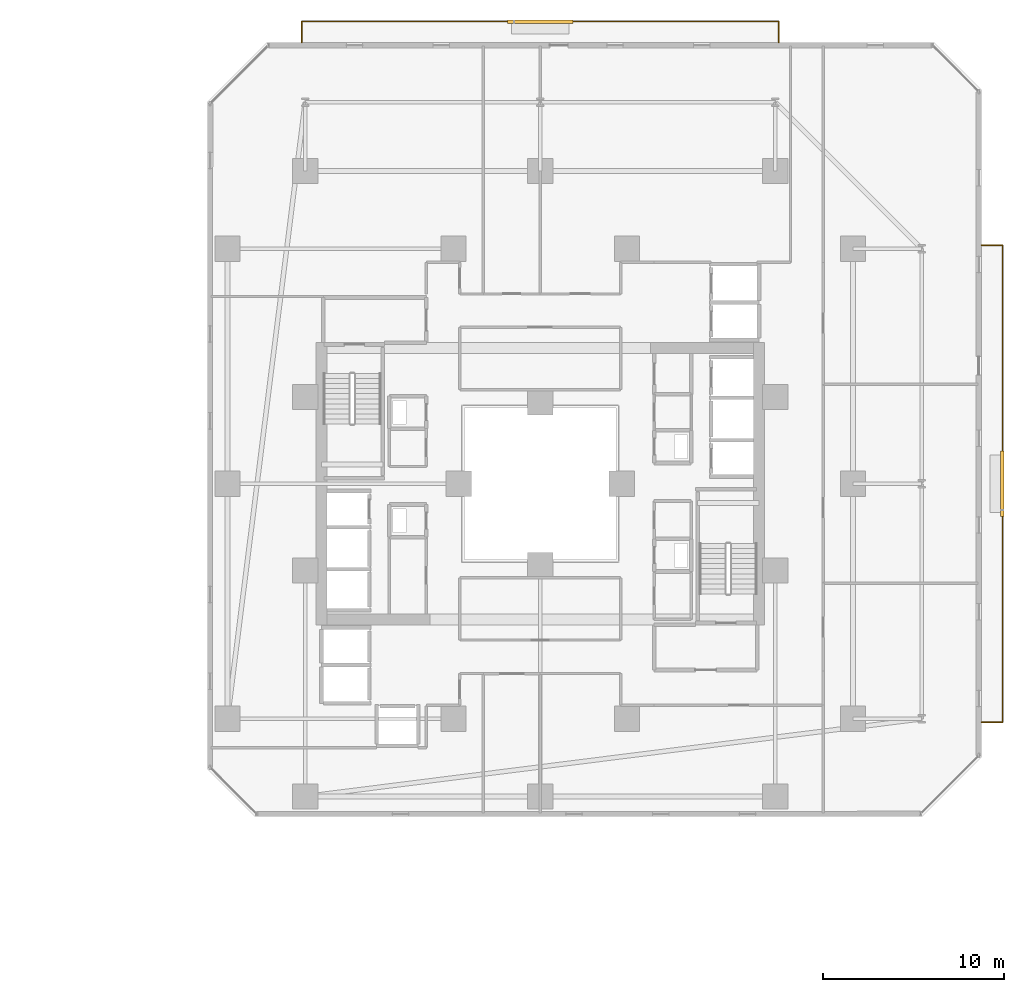
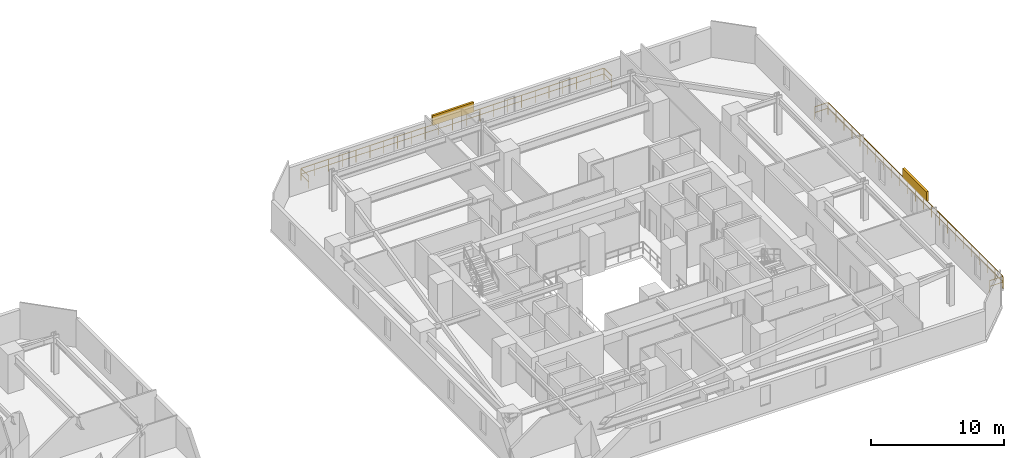
# One storey, part 34 of 34: 2 railings, 2 shading devices.
"""IFC4 building model written with IfcOpenShell, lengths in metres."""

import ifcopenshell
import ifcopenshell.guid

model = None  # the IFC model being written
_history = None  # IfcOwnerHistory: only IFC2X3 demands one
_inside = {}  # id of a spatial element -> (the spatial element, [elements in it])
_under = {}  # id of a project, library or spatial element -> (it, [spatial elements below it])
_declared = {}  # id of a project -> (the project, [libraries it declares])
_typed = {}  # id of a type object -> (the type object, [elements of that type])
_made_of = {}  # id of a material, layer set ... -> (it, [elements and type objects made of it])


def new_model(schema):
    """Start an empty IFC model of exactly this schema.

    Asked for "IFC4X3", IfcOpenShell would pick the latest addendum, in which some entities
    have other attributes; the version numbers below select the first issue.
    IFC2X3 requires an IfcOwnerHistory on every rooted entity: one is made here for all.
    """
    global model, _history
    if schema == "IFC4X3":
        model = ifcopenshell.file(schema_version=(4, 3, 0, 0))
    else:
        model = ifcopenshell.file(schema=schema)
    _inside.clear()
    _under.clear()
    _declared.clear()
    _typed.clear()
    _made_of.clear()
    _history = None
    if model.schema == "IFC2X3":
        org = make("IfcOrganization", Name="unknown")
        user = make(
            "IfcPersonAndOrganization",
            ThePerson=make("IfcPerson", FamilyName="unknown"),
            TheOrganization=org,
        )
        app = make(
            "IfcApplication",
            ApplicationDeveloper=org,
            Version="unknown",
            ApplicationFullName="unknown",
            ApplicationIdentifier="unknown",
        )
        _history = make(
            "IfcOwnerHistory",
            OwningUser=user,
            OwningApplication=app,
            ChangeAction="ADDED",
            CreationDate=0,
        )
    return model


def make(cls, **values):
    """One entity of the class cls with the attributes given. An attribute that is None is left unset."""
    return model.create_entity(
        cls, **{name: value for name, value in values.items() if value is not None}
    )


def rooted(cls, **values):
    """An entity with a GlobalId (a new one), such as an element, a storey or a relation."""
    return make(cls, GlobalId=ifcopenshell.guid.new(), OwnerHistory=_history, **values)


def si_unit(unit_type, name, prefix=None):
    """IfcSIUnit, for example si_unit("LENGTHUNIT", "METRE", prefix="MILLI")."""
    return make("IfcSIUnit", UnitType=unit_type, Prefix=prefix, Name=name)


def assignment(units):
    """IfcUnitAssignment: the units of a project."""
    return None if units is None else make("IfcUnitAssignment", Units=units)


def point(xyz):
    """IfcCartesianPoint."""
    return None if xyz is None else make("IfcCartesianPoint", Coordinates=xyz)


def direction(xyz):
    """IfcDirection."""
    return None if xyz is None else make("IfcDirection", DirectionRatios=xyz)


def frame(location, z_axis=None, x_axis=None):
    """IfcAxis2Placement3D, a coordinate frame: its origin and axes. An axis left out is left unset."""
    return make(
        "IfcAxis2Placement3D",
        Location=point(location),
        Axis=direction(z_axis),
        RefDirection=direction(x_axis),
    )


def frame_2d(location, x_axis=None):
    """IfcAxis2Placement2D, a coordinate frame in the plane: its origin and x axis."""
    return make(
        "IfcAxis2Placement2D", Location=point(location), RefDirection=direction(x_axis)
    )


def origin():
    """The frame at (0, 0, 0) with its axes left unset."""
    return frame((0.0, 0.0, 0.0))


def origin_2d():
    """The frame at (0, 0) in the plane with its x axis left unset."""
    return frame_2d((0.0, 0.0))


def place(relative_to, where):
    """IfcLocalPlacement: puts the frame where relative to a parent placement (None: the world)."""
    return make(
        "IfcLocalPlacement", PlacementRelTo=relative_to, RelativePlacement=where
    )


def context(
    kind, dimensions, precision=None, world=None, true_north=None, identifier=None
):
    """IfcGeometricRepresentationContext, for example the 3D "Model" context."""
    return make(
        "IfcGeometricRepresentationContext",
        ContextIdentifier=identifier,
        ContextType=kind,
        CoordinateSpaceDimension=dimensions,
        Precision=precision,
        WorldCoordinateSystem=world,
        TrueNorth=true_north,
    )


def subcontext(parent, identifier, kind, view, scale=None):
    """IfcGeometricRepresentationSubContext, for example "Body" below "Model"."""
    return make(
        "IfcGeometricRepresentationSubContext",
        ContextIdentifier=identifier,
        ContextType=kind,
        ParentContext=parent,
        TargetScale=scale,
        TargetView=view,
    )


def project(units=None, contexts=None):
    """IfcProject with its units and contexts."""
    return rooted(
        "IfcProject",
        Name="project",
        RepresentationContexts=contexts,
        UnitsInContext=assignment(units),
    )


def spatial(cls, under=None, at=None, **own):
    """A site, building, storey or space (cls), placed at a placement, below another one or the project."""
    s = rooted(cls, ObjectPlacement=at, **own)
    if under is not None:
        _under.setdefault(under.id(), (under, []))[1].append(s)
    return s


def profile(cls, at=None, kind="AREA", **sizes):
    """A parametric profile (cls). Its sizes go by their IFC names, for example OverallWidth=200.0."""
    return make(cls, ProfileType=kind, Position=at, **sizes)


def rectangle(**sizes):
    """IfcRectangleProfileDef."""
    return profile("IfcRectangleProfileDef", **sizes)


def extrude(swept, where, along, depth):
    """IfcExtrudedAreaSolid: the profile swept, set in the frame where, extruded along a direction by depth."""
    return make(
        "IfcExtrudedAreaSolid",
        SweptArea=swept,
        Position=where,
        ExtrudedDirection=direction(along),
        Depth=depth,
    )


def shape(context_of_items, identifier, shape_type, items):
    """IfcShapeRepresentation: the items that make up one representation, for example the "Body"."""
    return make(
        "IfcShapeRepresentation",
        ContextOfItems=context_of_items,
        RepresentationIdentifier=identifier,
        RepresentationType=shape_type,
        Items=items,
    )


def material(Name=None, Category=None):
    """IfcMaterial."""
    return make("IfcMaterial", Name=Name, Category=Category)


def made_of(thing, what):
    """Note that an element or type object is made of a material, layer set ...; save() writes the relation."""
    if what is not None:
        _made_of.setdefault(what.id(), (what, []))[1].append(thing)
    return thing


def type_object(cls, material=None, **own):
    """A type object (cls), such as IfcWallType, which elements share."""
    return made_of(rooted(cls, **own), material)


def element(
    cls,
    number,
    at=None,
    inside=None,
    cuts=None,
    type_object=None,
    material=None,
    context=None,
    identifier="Body",
    shape_type=None,
    held_by="IfcProductDefinitionShape",
    body=None,
    shapes=None,
    **own,
):
    """One element of the class cls, such as IfcWall. Its Tag is "e" and its number.

    at: its placement. inside: the storey or other place that contains it. cuts: it is an
    opening in that element (IfcRelVoidsElement). A single representation is given by context,
    identifier, shape_type and body (its items); several are given by shapes. held_by: the class
    of the entity that holds the representations. save() writes the other relations.
    """
    e = rooted(cls, Tag="e%d" % number, ObjectPlacement=at, **own)
    if body is not None:
        shapes = [shape(context, identifier, shape_type, body)]
    if shapes is not None:
        e.Representation = make(held_by, Representations=shapes)
    if inside is not None:
        _inside.setdefault(inside.id(), (inside, []))[1].append(e)
    if cuts is not None:
        rooted(
            "IfcRelVoidsElement", RelatingBuildingElement=cuts, RelatedOpeningElement=e
        )
    if type_object is not None:
        _typed.setdefault(type_object.id(), (type_object, []))[1].append(e)
    return made_of(e, material)


def aggregate(whole, parts):
    """IfcRelAggregates: a whole, such as a stair, and the parts it consists of."""
    return rooted("IfcRelAggregates", RelatingObject=whole, RelatedObjects=parts)


def save(model, path):
    """Write the relations noted so far, then the file.

    IfcRelAggregates (storeys below a building ...), IfcRelContainedInSpatialStructure (elements
    in a storey), IfcRelDefinesByType, IfcRelAssociatesMaterial and IfcRelDeclares: one each for
    every whole, place, type object, material and project.
    """
    for whole, parts in _under.values():
        aggregate(whole, parts)
    for where, things in _inside.values():
        rooted(
            "IfcRelContainedInSpatialStructure",
            RelatedElements=things,
            RelatingStructure=where,
        )
    for kind, things in _typed.values():
        rooted("IfcRelDefinesByType", RelatedObjects=things, RelatingType=kind)
    for what, things in _made_of.values():
        rooted("IfcRelAssociatesMaterial", RelatedObjects=things, RelatingMaterial=what)
    for by, libraries in _declared.values():
        rooted("IfcRelDeclares", RelatingContext=by, RelatedDefinitions=libraries)
    model.write(path)


model = new_model("IFC4")

# Units and contexts
model_context = context("Model", 3, precision=1e-05, world=origin(), true_north=direction((0.0, 1.0)))
body_context = subcontext(model_context, "Body", "Model", "MODEL_VIEW")
ifc_project = project(units=[si_unit("LENGTHUNIT", "METRE"), si_unit("AREAUNIT", "SQUARE_METRE"), si_unit("VOLUMEUNIT", "CUBIC_METRE"), si_unit("PLANEANGLEUNIT", "RADIAN"), si_unit("MASSUNIT", "GRAM", prefix="KILO")], contexts=[model_context])

# Site, building, storey
site_placement = place(None, origin())
site = spatial("IfcSite", under=ifc_project, at=site_placement, CompositionType="ELEMENT")
building_placement = place(site_placement, origin())
building = spatial("IfcBuilding", under=site, at=building_placement, Name="Thornwick Lancets Civic Towers", CompositionType="ELEMENT")
storey_placement = place(building_placement, frame((0.0, 0.0, 60.89990234375)))
storey = spatial("IfcBuildingStorey", under=building, at=storey_placement, Name="L15", CompositionType="ELEMENT", Elevation=60.89990234375)

# Railings
ifc_material_1 = material(Name="Terracotta-capped laminated glass balustrade S355", Category="masonry")
railing_type = type_object("IfcRailingType", Name="RAIL_TERR_GUARD", PredefinedType="GUARDRAIL", material=ifc_material_1)
railing_1_placement = place(storey_placement, frame((112.89990234375, 13.800048828125, 0.0)))
element("IfcRailing", 1, at=railing_1_placement, inside=storey, type_object=railing_type, Name="L15 Tower B Balcony Guard E", PredefinedType="GUARDRAIL", context=body_context, shape_type="SweptSolid", body=[
    extrude(rectangle(XDim=0.048095703125, YDim=0.048095703125, at=origin_2d()), frame((0.0, 0.0, 1.1259765625), z_axis=(1.0, 0.0, 0.0), x_axis=(0.0, 1.0, 0.0)), (0.0, 0.0, 1.0), 1.138916015625),
    extrude(rectangle(XDim=0.0419921875, YDim=0.0419921875, at=origin_2d()), frame((0.03759765625, 0.0, 0.597900390625), z_axis=(1.0, 0.0, 0.0), x_axis=(0.0, 1.0, 0.0)), (0.0, 0.0, 1.0), 1.09521484375),
    extrude(rectangle(XDim=0.048095703125, YDim=0.048095703125, at=origin_2d()), frame((1.170166015625, 0.03125, 1.1259765625), z_axis=(0.0, 1.0, 0.0), x_axis=(-1.0, 0.0, 0.0)), (0.0, 0.0, 1.0), 26.33740234375),
    extrude(rectangle(XDim=0.0419921875, YDim=0.0419921875, at=origin_2d()), frame((1.170166015625, 0.03759765625, 0.597900390625), z_axis=(0.0, 1.0, 0.0), x_axis=(-1.0, 0.0, 0.0)), (0.0, 0.0, 1.0), 1.125),
    extrude(rectangle(XDim=0.0419921875, YDim=0.0419921875, at=origin_2d()), frame((1.170166015625, 1.237548828125, 0.597900390625), z_axis=(0.0, 1.0, 0.0), x_axis=(-1.0, 0.0, 0.0)), (0.0, 0.0, 1.0), 1.125),
    extrude(rectangle(XDim=0.0419921875, YDim=0.0419921875, at=origin_2d()), frame((1.170166015625, 2.4375, 0.597900390625), z_axis=(0.0, 1.0, 0.0), x_axis=(-1.0, 0.0, 0.0)), (0.0, 0.0, 1.0), 1.125),
    extrude(rectangle(XDim=0.0419921875, YDim=0.0419921875, at=origin_2d()), frame((1.170166015625, 3.637451171875, 0.597900390625), z_axis=(0.0, 1.0, 0.0), x_axis=(-1.0, 0.0, 0.0)), (0.0, 0.0, 1.0), 1.125),
    extrude(rectangle(XDim=0.0419921875, YDim=0.0419921875, at=origin_2d()), frame((1.170166015625, 4.83740234375, 0.597900390625), z_axis=(0.0, 1.0, 0.0), x_axis=(-1.0, 0.0, 0.0)), (0.0, 0.0, 1.0), 1.125),
    extrude(rectangle(XDim=0.0419921875, YDim=0.0419921875, at=origin_2d()), frame((1.170166015625, 6.037353515625, 0.597900390625), z_axis=(0.0, 1.0, 0.0), x_axis=(-1.0, 0.0, 0.0)), (0.0, 0.0, 1.0), 1.125),
    extrude(rectangle(XDim=0.0419921875, YDim=0.0419921875, at=origin_2d()), frame((1.170166015625, 7.237548828125, 0.597900390625), z_axis=(0.0, 1.0, 0.0), x_axis=(-1.0, 0.0, 0.0)), (0.0, 0.0, 1.0), 1.125),
    extrude(rectangle(XDim=0.0419921875, YDim=0.0419921875, at=origin_2d()), frame((1.170166015625, 8.4375, 0.597900390625), z_axis=(0.0, 1.0, 0.0), x_axis=(-1.0, 0.0, 0.0)), (0.0, 0.0, 1.0), 1.125),
    extrude(rectangle(XDim=0.0419921875, YDim=0.0419921875, at=origin_2d()), frame((1.170166015625, 9.637451171875, 0.597900390625), z_axis=(0.0, 1.0, 0.0), x_axis=(-1.0, 0.0, 0.0)), (0.0, 0.0, 1.0), 1.125),
    extrude(rectangle(XDim=0.0419921875, YDim=0.0419921875, at=origin_2d()), frame((1.170166015625, 10.83740234375, 0.597900390625), z_axis=(0.0, 1.0, 0.0), x_axis=(-1.0, 0.0, 0.0)), (0.0, 0.0, 1.0), 1.125),
    extrude(rectangle(XDim=0.0419921875, YDim=0.0419921875, at=origin_2d()), frame((1.170166015625, 12.037353515625, 0.597900390625), z_axis=(0.0, 1.0, 0.0), x_axis=(-1.0, 0.0, 0.0)), (0.0, 0.0, 1.0), 1.125),
    extrude(rectangle(XDim=0.0419921875, YDim=0.0419921875, at=origin_2d()), frame((1.170166015625, 13.237548828125, 0.597900390625), z_axis=(0.0, 1.0, 0.0), x_axis=(-1.0, 0.0, 0.0)), (0.0, 0.0, 1.0), 1.125),
    extrude(rectangle(XDim=0.0419921875, YDim=0.0419921875, at=origin_2d()), frame((1.170166015625, 14.4375, 0.597900390625), z_axis=(0.0, 1.0, 0.0), x_axis=(-1.0, 0.0, 0.0)), (0.0, 0.0, 1.0), 1.125),
    extrude(rectangle(XDim=0.0419921875, YDim=0.0419921875, at=origin_2d()), frame((1.170166015625, 15.637451171875, 0.597900390625), z_axis=(0.0, 1.0, 0.0), x_axis=(-1.0, 0.0, 0.0)), (0.0, 0.0, 1.0), 1.125),
    extrude(rectangle(XDim=0.0419921875, YDim=0.0419921875, at=origin_2d()), frame((1.170166015625, 16.83740234375, 0.597900390625), z_axis=(0.0, 1.0, 0.0), x_axis=(-1.0, 0.0, 0.0)), (0.0, 0.0, 1.0), 1.125),
    extrude(rectangle(XDim=0.0419921875, YDim=0.0419921875, at=origin_2d()), frame((1.170166015625, 18.037353515625, 0.597900390625), z_axis=(0.0, 1.0, 0.0), x_axis=(-1.0, 0.0, 0.0)), (0.0, 0.0, 1.0), 1.125),
    extrude(rectangle(XDim=0.0419921875, YDim=0.0419921875, at=origin_2d()), frame((1.170166015625, 19.2373046875, 0.597900390625), z_axis=(0.0, 1.0, 0.0), x_axis=(-1.0, 0.0, 0.0)), (0.0, 0.0, 1.0), 1.125),
    extrude(rectangle(XDim=0.0419921875, YDim=0.0419921875, at=origin_2d()), frame((1.170166015625, 20.4375, 0.597900390625), z_axis=(0.0, 1.0, 0.0), x_axis=(-1.0, 0.0, 0.0)), (0.0, 0.0, 1.0), 1.125),
    extrude(rectangle(XDim=0.0419921875, YDim=0.0419921875, at=origin_2d()), frame((1.170166015625, 21.637451171875, 0.597900390625), z_axis=(0.0, 1.0, 0.0), x_axis=(-1.0, 0.0, 0.0)), (0.0, 0.0, 1.0), 1.125),
    extrude(rectangle(XDim=0.0419921875, YDim=0.0419921875, at=origin_2d()), frame((1.170166015625, 22.83740234375, 0.597900390625), z_axis=(0.0, 1.0, 0.0), x_axis=(-1.0, 0.0, 0.0)), (0.0, 0.0, 1.0), 1.125),
    extrude(rectangle(XDim=0.0419921875, YDim=0.0419921875, at=origin_2d()), frame((1.170166015625, 24.037353515625, 0.597900390625), z_axis=(0.0, 1.0, 0.0), x_axis=(-1.0, 0.0, 0.0)), (0.0, 0.0, 1.0), 1.125),
    extrude(rectangle(XDim=0.0419921875, YDim=0.0419921875, at=origin_2d()), frame((1.170166015625, 25.2373046875, 0.597900390625), z_axis=(0.0, 1.0, 0.0), x_axis=(-1.0, 0.0, 0.0)), (0.0, 0.0, 1.0), 1.125),
    extrude(rectangle(XDim=0.048095703125, YDim=0.048095703125, at=origin_2d()), frame((1.138916015625, 26.39990234375, 1.1259765625), z_axis=(-1.0, 0.0, 0.0), x_axis=(0.0, -1.0, 0.0)), (0.0, 0.0, 1.0), 1.138916015625),
    extrude(rectangle(XDim=0.0419921875, YDim=0.0419921875, at=origin_2d()), frame((1.132568359375, 26.39990234375, 0.597900390625), z_axis=(-1.0, 0.0, 0.0), x_axis=(0.0, -1.0, 0.0)), (0.0, 0.0, 1.0), 1.09521484375),
    extrude(rectangle(XDim=0.0419921875, YDim=0.0419921875, at=origin_2d()), origin(), (0.0, 0.0, 1.0), 1.095703125),
    extrude(rectangle(XDim=0.0419921875, YDim=0.0419921875, at=origin_2d()), frame((1.170166015625, 0.0, 0.0)), (0.0, 0.0, 1.0), 1.095703125),
    extrude(rectangle(XDim=0.0419921875, YDim=0.0419921875, at=origin_2d()), frame((1.170166015625, 1.199951171875, 0.0)), (0.0, 0.0, 1.0), 1.095703125),
    extrude(rectangle(XDim=0.0419921875, YDim=0.0419921875, at=origin_2d()), frame((1.170166015625, 2.39990234375, 0.0)), (0.0, 0.0, 1.0), 1.095703125),
    extrude(rectangle(XDim=0.0419921875, YDim=0.0419921875, at=origin_2d()), frame((1.170166015625, 3.60009765625, 0.0)), (0.0, 0.0, 1.0), 1.095703125),
    extrude(rectangle(XDim=0.0419921875, YDim=0.0419921875, at=origin_2d()), frame((1.170166015625, 4.800048828125, 0.0)), (0.0, 0.0, 1.0), 1.095703125),
    extrude(rectangle(XDim=0.0419921875, YDim=0.0419921875, at=origin_2d()), frame((1.170166015625, 6.0, 0.0)), (0.0, 0.0, 1.0), 1.095703125),
    extrude(rectangle(XDim=0.0419921875, YDim=0.0419921875, at=origin_2d()), frame((1.170166015625, 7.199951171875, 0.0)), (0.0, 0.0, 1.0), 1.095703125),
    extrude(rectangle(XDim=0.0419921875, YDim=0.0419921875, at=origin_2d()), frame((1.170166015625, 8.39990234375, 0.0)), (0.0, 0.0, 1.0), 1.095703125),
    extrude(rectangle(XDim=0.0419921875, YDim=0.0419921875, at=origin_2d()), frame((1.170166015625, 9.599853515625, 0.0)), (0.0, 0.0, 1.0), 1.095703125),
    extrude(rectangle(XDim=0.0419921875, YDim=0.0419921875, at=origin_2d()), frame((1.170166015625, 10.800048828125, 0.0)), (0.0, 0.0, 1.0), 1.095703125),
    extrude(rectangle(XDim=0.0419921875, YDim=0.0419921875, at=origin_2d()), frame((1.170166015625, 12.0, 0.0)), (0.0, 0.0, 1.0), 1.095703125),
    extrude(rectangle(XDim=0.0419921875, YDim=0.0419921875, at=origin_2d()), frame((1.170166015625, 13.199951171875, 0.0)), (0.0, 0.0, 1.0), 1.095703125),
    extrude(rectangle(XDim=0.0419921875, YDim=0.0419921875, at=origin_2d()), frame((1.170166015625, 14.39990234375, 0.0)), (0.0, 0.0, 1.0), 1.095703125),
    extrude(rectangle(XDim=0.0419921875, YDim=0.0419921875, at=origin_2d()), frame((1.170166015625, 15.599853515625, 0.0)), (0.0, 0.0, 1.0), 1.095703125),
    extrude(rectangle(XDim=0.0419921875, YDim=0.0419921875, at=origin_2d()), frame((1.170166015625, 16.800048828125, 0.0)), (0.0, 0.0, 1.0), 1.095703125),
    extrude(rectangle(XDim=0.0419921875, YDim=0.0419921875, at=origin_2d()), frame((1.170166015625, 18.0, 0.0)), (0.0, 0.0, 1.0), 1.095703125),
    extrude(rectangle(XDim=0.0419921875, YDim=0.0419921875, at=origin_2d()), frame((1.170166015625, 19.199951171875, 0.0)), (0.0, 0.0, 1.0), 1.095703125),
    extrude(rectangle(XDim=0.0419921875, YDim=0.0419921875, at=origin_2d()), frame((1.170166015625, 20.39990234375, 0.0)), (0.0, 0.0, 1.0), 1.095703125),
    extrude(rectangle(XDim=0.0419921875, YDim=0.0419921875, at=origin_2d()), frame((1.170166015625, 21.599853515625, 0.0)), (0.0, 0.0, 1.0), 1.095703125),
    extrude(rectangle(XDim=0.0419921875, YDim=0.0419921875, at=origin_2d()), frame((1.170166015625, 22.7998046875, 0.0)), (0.0, 0.0, 1.0), 1.095703125),
    extrude(rectangle(XDim=0.0419921875, YDim=0.0419921875, at=origin_2d()), frame((1.170166015625, 24.0, 0.0)), (0.0, 0.0, 1.0), 1.095703125),
    extrude(rectangle(XDim=0.0419921875, YDim=0.0419921875, at=origin_2d()), frame((1.170166015625, 25.199951171875, 0.0)), (0.0, 0.0, 1.0), 1.095703125),
    extrude(rectangle(XDim=0.0419921875, YDim=0.0419921875, at=origin_2d()), frame((1.170166015625, 26.39990234375, 0.0)), (0.0, 0.0, 1.0), 1.095703125),
    extrude(rectangle(XDim=0.0419921875, YDim=0.0419921875, at=origin_2d()), frame((0.0, 26.39990234375, 0.0)), (0.0, 0.0, 1.0), 1.095703125),
])
railing_2_placement = place(storey_placement, frame((75.300048828125, 51.39990234375, 0.0)))
element("IfcRailing", 2, at=railing_2_placement, inside=storey, type_object=railing_type, Name="L15 Tower B Balcony Guard N", PredefinedType="GUARDRAIL", context=body_context, shape_type="SweptSolid", body=[
    extrude(rectangle(XDim=0.048095703125, YDim=0.048095703125, at=origin_2d()), frame((0.0, 0.0, 1.1259765625), z_axis=(0.0, 1.0, 0.0), x_axis=(-1.0, 0.0, 0.0)), (0.0, 0.0, 1.0), 1.138916015625),
    extrude(rectangle(XDim=0.0419921875, YDim=0.0419921875, at=origin_2d()), frame((0.0, 0.03759765625, 0.597900390625), z_axis=(0.0, 1.0, 0.0), x_axis=(-1.0, 0.0, 0.0)), (0.0, 0.0, 1.0), 1.09521484375),
    extrude(rectangle(XDim=0.048095703125, YDim=0.048095703125, at=origin_2d()), frame((0.03125, 1.170166015625, 1.1259765625), z_axis=(1.0, 0.0, 0.0), x_axis=(0.0, 1.0, 0.0)), (0.0, 0.0, 1.0), 26.33740234375),
    extrude(rectangle(XDim=0.0419921875, YDim=0.0419921875, at=origin_2d()), frame((0.03759765625, 1.170166015625, 0.597900390625), z_axis=(1.0, 0.0, 0.0), x_axis=(0.0, 1.0, 0.0)), (0.0, 0.0, 1.0), 1.125),
    extrude(rectangle(XDim=0.0419921875, YDim=0.0419921875, at=origin_2d()), frame((1.237548828125, 1.170166015625, 0.597900390625), z_axis=(1.0, 0.0, 0.0), x_axis=(0.0, 1.0, 0.0)), (0.0, 0.0, 1.0), 1.125),
    extrude(rectangle(XDim=0.0419921875, YDim=0.0419921875, at=origin_2d()), frame((2.4375, 1.170166015625, 0.597900390625), z_axis=(1.0, 0.0, 0.0), x_axis=(0.0, 1.0, 0.0)), (0.0, 0.0, 1.0), 1.125),
    extrude(rectangle(XDim=0.0419921875, YDim=0.0419921875, at=origin_2d()), frame((3.637451171875, 1.170166015625, 0.597900390625), z_axis=(1.0, 0.0, 0.0), x_axis=(0.0, 1.0, 0.0)), (0.0, 0.0, 1.0), 1.125),
    extrude(rectangle(XDim=0.0419921875, YDim=0.0419921875, at=origin_2d()), frame((4.83740234375, 1.170166015625, 0.597900390625), z_axis=(1.0, 0.0, 0.0), x_axis=(0.0, 1.0, 0.0)), (0.0, 0.0, 1.0), 1.125),
    extrude(rectangle(XDim=0.0419921875, YDim=0.0419921875, at=origin_2d()), frame((6.037353515625, 1.170166015625, 0.597900390625), z_axis=(1.0, 0.0, 0.0), x_axis=(0.0, 1.0, 0.0)), (0.0, 0.0, 1.0), 1.125),
    extrude(rectangle(XDim=0.0419921875, YDim=0.0419921875, at=origin_2d()), frame((7.237548828125, 1.170166015625, 0.597900390625), z_axis=(1.0, 0.0, 0.0), x_axis=(0.0, 1.0, 0.0)), (0.0, 0.0, 1.0), 1.125),
    extrude(rectangle(XDim=0.0419921875, YDim=0.0419921875, at=origin_2d()), frame((8.4375, 1.170166015625, 0.597900390625), z_axis=(1.0, 0.0, 0.0), x_axis=(0.0, 1.0, 0.0)), (0.0, 0.0, 1.0), 1.125),
    extrude(rectangle(XDim=0.0419921875, YDim=0.0419921875, at=origin_2d()), frame((9.637451171875, 1.170166015625, 0.597900390625), z_axis=(1.0, 0.0, 0.0), x_axis=(0.0, 1.0, 0.0)), (0.0, 0.0, 1.0), 1.125),
    extrude(rectangle(XDim=0.0419921875, YDim=0.0419921875, at=origin_2d()), frame((10.83740234375, 1.170166015625, 0.597900390625), z_axis=(1.0, 0.0, 0.0), x_axis=(0.0, 1.0, 0.0)), (0.0, 0.0, 1.0), 1.125),
    extrude(rectangle(XDim=0.0419921875, YDim=0.0419921875, at=origin_2d()), frame((12.037353515625, 1.170166015625, 0.597900390625), z_axis=(1.0, 0.0, 0.0), x_axis=(0.0, 1.0, 0.0)), (0.0, 0.0, 1.0), 1.125),
    extrude(rectangle(XDim=0.0419921875, YDim=0.0419921875, at=origin_2d()), frame((13.237548828125, 1.170166015625, 0.597900390625), z_axis=(1.0, 0.0, 0.0), x_axis=(0.0, 1.0, 0.0)), (0.0, 0.0, 1.0), 1.125),
    extrude(rectangle(XDim=0.0419921875, YDim=0.0419921875, at=origin_2d()), frame((14.4375, 1.170166015625, 0.597900390625), z_axis=(1.0, 0.0, 0.0), x_axis=(0.0, 1.0, 0.0)), (0.0, 0.0, 1.0), 1.125),
    extrude(rectangle(XDim=0.0419921875, YDim=0.0419921875, at=origin_2d()), frame((15.637451171875, 1.170166015625, 0.597900390625), z_axis=(1.0, 0.0, 0.0), x_axis=(0.0, 1.0, 0.0)), (0.0, 0.0, 1.0), 1.125),
    extrude(rectangle(XDim=0.0419921875, YDim=0.0419921875, at=origin_2d()), frame((16.83740234375, 1.170166015625, 0.597900390625), z_axis=(1.0, 0.0, 0.0), x_axis=(0.0, 1.0, 0.0)), (0.0, 0.0, 1.0), 1.125),
    extrude(rectangle(XDim=0.0419921875, YDim=0.0419921875, at=origin_2d()), frame((18.037353515625, 1.170166015625, 0.597900390625), z_axis=(1.0, 0.0, 0.0), x_axis=(0.0, 1.0, 0.0)), (0.0, 0.0, 1.0), 1.125),
    extrude(rectangle(XDim=0.0419921875, YDim=0.0419921875, at=origin_2d()), frame((19.2373046875, 1.170166015625, 0.597900390625), z_axis=(1.0, 0.0, 0.0), x_axis=(0.0, 1.0, 0.0)), (0.0, 0.0, 1.0), 1.125),
    extrude(rectangle(XDim=0.0419921875, YDim=0.0419921875, at=origin_2d()), frame((20.4375, 1.170166015625, 0.597900390625), z_axis=(1.0, 0.0, 0.0), x_axis=(0.0, 1.0, 0.0)), (0.0, 0.0, 1.0), 1.125),
    extrude(rectangle(XDim=0.0419921875, YDim=0.0419921875, at=origin_2d()), frame((21.637451171875, 1.170166015625, 0.597900390625), z_axis=(1.0, 0.0, 0.0), x_axis=(0.0, 1.0, 0.0)), (0.0, 0.0, 1.0), 1.125),
    extrude(rectangle(XDim=0.0419921875, YDim=0.0419921875, at=origin_2d()), frame((22.83740234375, 1.170166015625, 0.597900390625), z_axis=(1.0, 0.0, 0.0), x_axis=(0.0, 1.0, 0.0)), (0.0, 0.0, 1.0), 1.125),
    extrude(rectangle(XDim=0.0419921875, YDim=0.0419921875, at=origin_2d()), frame((24.037353515625, 1.170166015625, 0.597900390625), z_axis=(1.0, 0.0, 0.0), x_axis=(0.0, 1.0, 0.0)), (0.0, 0.0, 1.0), 1.125),
    extrude(rectangle(XDim=0.0419921875, YDim=0.0419921875, at=origin_2d()), frame((25.2373046875, 1.170166015625, 0.597900390625), z_axis=(1.0, 0.0, 0.0), x_axis=(0.0, 1.0, 0.0)), (0.0, 0.0, 1.0), 1.125),
    extrude(rectangle(XDim=0.048095703125, YDim=0.048095703125, at=origin_2d()), frame((26.39990234375, 1.138916015625, 1.1259765625), z_axis=(0.0, -1.0, 0.0), x_axis=(1.0, 0.0, 0.0)), (0.0, 0.0, 1.0), 1.138916015625),
    extrude(rectangle(XDim=0.0419921875, YDim=0.0419921875, at=origin_2d()), frame((26.39990234375, 1.132568359375, 0.597900390625), z_axis=(0.0, -1.0, 0.0), x_axis=(1.0, 0.0, 0.0)), (0.0, 0.0, 1.0), 1.09521484375),
    extrude(rectangle(XDim=0.0419921875, YDim=0.0419921875, at=origin_2d()), origin(), (0.0, 0.0, 1.0), 1.095703125),
    extrude(rectangle(XDim=0.0419921875, YDim=0.0419921875, at=origin_2d()), frame((0.0, 1.170166015625, 0.0)), (0.0, 0.0, 1.0), 1.095703125),
    extrude(rectangle(XDim=0.0419921875, YDim=0.0419921875, at=origin_2d()), frame((1.199951171875, 1.170166015625, 0.0)), (0.0, 0.0, 1.0), 1.095703125),
    extrude(rectangle(XDim=0.0419921875, YDim=0.0419921875, at=origin_2d()), frame((2.39990234375, 1.170166015625, 0.0)), (0.0, 0.0, 1.0), 1.095703125),
    extrude(rectangle(XDim=0.0419921875, YDim=0.0419921875, at=origin_2d()), frame((3.60009765625, 1.170166015625, 0.0)), (0.0, 0.0, 1.0), 1.095703125),
    extrude(rectangle(XDim=0.0419921875, YDim=0.0419921875, at=origin_2d()), frame((4.800048828125, 1.170166015625, 0.0)), (0.0, 0.0, 1.0), 1.095703125),
    extrude(rectangle(XDim=0.0419921875, YDim=0.0419921875, at=origin_2d()), frame((6.0, 1.170166015625, 0.0)), (0.0, 0.0, 1.0), 1.095703125),
    extrude(rectangle(XDim=0.0419921875, YDim=0.0419921875, at=origin_2d()), frame((7.199951171875, 1.170166015625, 0.0)), (0.0, 0.0, 1.0), 1.095703125),
    extrude(rectangle(XDim=0.0419921875, YDim=0.0419921875, at=origin_2d()), frame((8.39990234375, 1.170166015625, 0.0)), (0.0, 0.0, 1.0), 1.095703125),
    extrude(rectangle(XDim=0.0419921875, YDim=0.0419921875, at=origin_2d()), frame((9.599853515625, 1.170166015625, 0.0)), (0.0, 0.0, 1.0), 1.095703125),
    extrude(rectangle(XDim=0.0419921875, YDim=0.0419921875, at=origin_2d()), frame((10.800048828125, 1.170166015625, 0.0)), (0.0, 0.0, 1.0), 1.095703125),
    extrude(rectangle(XDim=0.0419921875, YDim=0.0419921875, at=origin_2d()), frame((12.0, 1.170166015625, 0.0)), (0.0, 0.0, 1.0), 1.095703125),
    extrude(rectangle(XDim=0.0419921875, YDim=0.0419921875, at=origin_2d()), frame((13.199951171875, 1.170166015625, 0.0)), (0.0, 0.0, 1.0), 1.095703125),
    extrude(rectangle(XDim=0.0419921875, YDim=0.0419921875, at=origin_2d()), frame((14.39990234375, 1.170166015625, 0.0)), (0.0, 0.0, 1.0), 1.095703125),
    extrude(rectangle(XDim=0.0419921875, YDim=0.0419921875, at=origin_2d()), frame((15.599853515625, 1.170166015625, 0.0)), (0.0, 0.0, 1.0), 1.095703125),
    extrude(rectangle(XDim=0.0419921875, YDim=0.0419921875, at=origin_2d()), frame((16.800048828125, 1.170166015625, 0.0)), (0.0, 0.0, 1.0), 1.095703125),
    extrude(rectangle(XDim=0.0419921875, YDim=0.0419921875, at=origin_2d()), frame((18.0, 1.170166015625, 0.0)), (0.0, 0.0, 1.0), 1.095703125),
    extrude(rectangle(XDim=0.0419921875, YDim=0.0419921875, at=origin_2d()), frame((19.199951171875, 1.170166015625, 0.0)), (0.0, 0.0, 1.0), 1.095703125),
    extrude(rectangle(XDim=0.0419921875, YDim=0.0419921875, at=origin_2d()), frame((20.39990234375, 1.170166015625, 0.0)), (0.0, 0.0, 1.0), 1.095703125),
    extrude(rectangle(XDim=0.0419921875, YDim=0.0419921875, at=origin_2d()), frame((21.599853515625, 1.170166015625, 0.0)), (0.0, 0.0, 1.0), 1.095703125),
    extrude(rectangle(XDim=0.0419921875, YDim=0.0419921875, at=origin_2d()), frame((22.7998046875, 1.170166015625, 0.0)), (0.0, 0.0, 1.0), 1.095703125),
    extrude(rectangle(XDim=0.0419921875, YDim=0.0419921875, at=origin_2d()), frame((24.0, 1.170166015625, 0.0)), (0.0, 0.0, 1.0), 1.095703125),
    extrude(rectangle(XDim=0.0419921875, YDim=0.0419921875, at=origin_2d()), frame((25.199951171875, 1.170166015625, 0.0)), (0.0, 0.0, 1.0), 1.095703125),
    extrude(rectangle(XDim=0.0419921875, YDim=0.0419921875, at=origin_2d()), frame((26.39990234375, 1.170166015625, 0.0)), (0.0, 0.0, 1.0), 1.095703125),
    extrude(rectangle(XDim=0.0419921875, YDim=0.0419921875, at=origin_2d()), frame((26.39990234375, 0.0, 0.0)), (0.0, 0.0, 1.0), 1.095703125),
])

# Shading devices
ifc_material_2 = material(Name="Extruded terracotta baguette solar screen", Category="masonry")
shading_device_type = type_object("IfcShadingDeviceType", Name="SHADE_BAGUETTE", PredefinedType="JALOUSIE", material=ifc_material_2)
for number, where, z_axis, x_axis, name in (
    (3, (114.06005859375, 27.0, 1.1201171875), (0.0, 0.0, 1.0), (0.0, 1.0, 0.0), "L15 Tower B Terracotta Baguette Screen E"),
    (4, (88.5, 52.56005859375, 1.1201171875), (0.0, 0.0, 1.0), (1.0, 0.0, 0.0), "L15 Tower B Terracotta Baguette Screen N"),
):
    element("IfcShadingDevice", number, at=place(storey_placement, frame(where, z_axis=z_axis, x_axis=x_axis)), inside=storey, type_object=shading_device_type, Name=name, PredefinedType="JALOUSIE", context=body_context, shape_type="SweptSolid", body=[
        extrude(rectangle(XDim=3.60009765625, YDim=0.179931640625, at=origin_2d()), origin(), (0.0, 0.0, 1.0), 0.89990234375),
    ])

save(model, "model.ifc")
